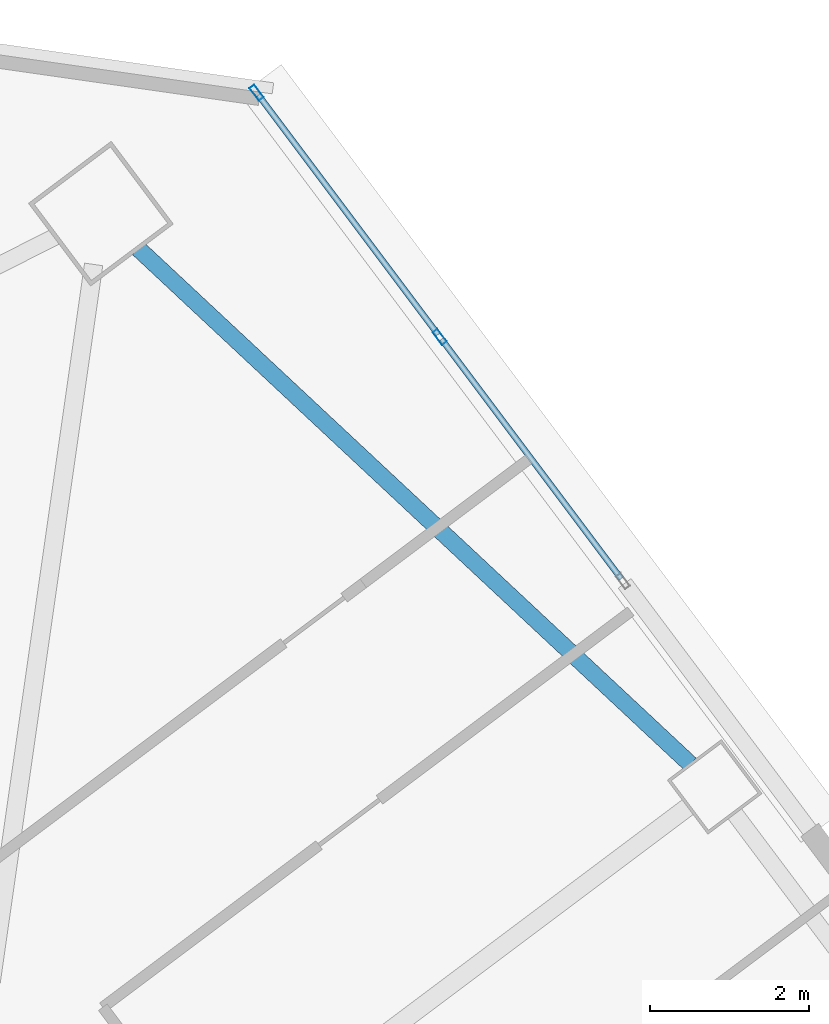
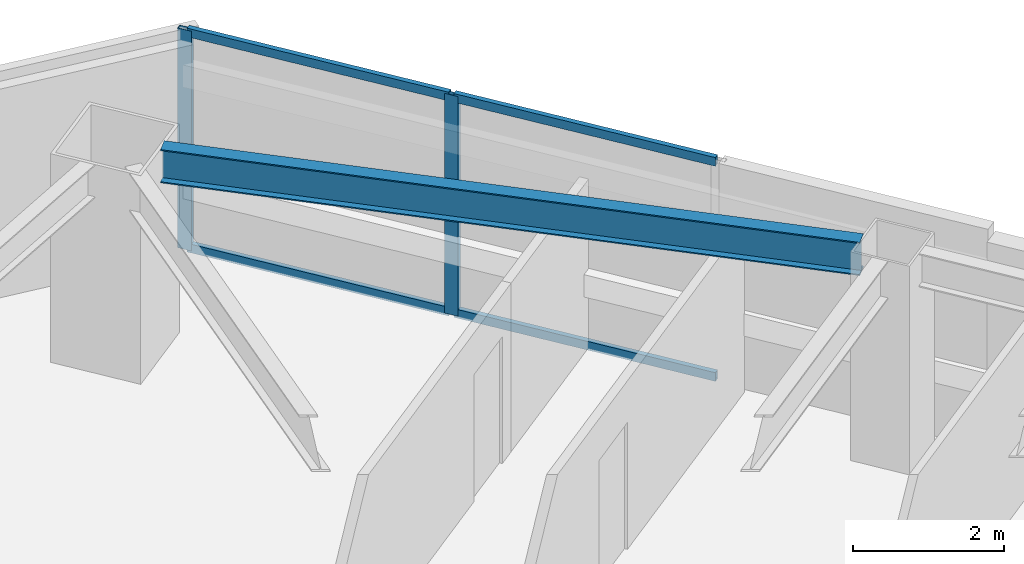
# One storey, part 31 of 44: 6 members, 1 beam, 1 element without a shape of its own.
"""IFC4 building model written with IfcOpenShell, lengths in metres."""

from ifc_helpers import new_model, si_unit, direction, frame, origin, origin_2d, place, context, subcontext, project, spatial, hollow_rectangle, i_section, extrude, material, material_profile, profile_set, type_object, element, aggregate, save


model = new_model("IFC4")

# Units and contexts
model_context = context("Model", 3, precision=1e-05, world=origin(), true_north=direction((0.0, 1.0)))
body_context = subcontext(model_context, "Body", "Model", "MODEL_VIEW")
ifc_project = project(units=[si_unit("LENGTHUNIT", "METRE"), si_unit("AREAUNIT", "SQUARE_METRE"), si_unit("VOLUMEUNIT", "CUBIC_METRE"), si_unit("PLANEANGLEUNIT", "RADIAN"), si_unit("MASSUNIT", "GRAM", prefix="KILO")], contexts=[model_context])

# Site, building, storey
site_placement = place(None, origin())
site = spatial("IfcSite", under=ifc_project, at=site_placement, CompositionType="ELEMENT")
building_placement = place(site_placement, origin())
building = spatial("IfcBuilding", under=site, at=building_placement, Name="Tashvorn Skyway Center", CompositionType="ELEMENT")
storey_placement = place(building_placement, frame((0.0, 0.0, 128.60009765625)))
storey = spatial("IfcBuildingStorey", under=building, at=storey_placement, Name="L34", CompositionType="ELEMENT", Elevation=128.60009765625)

# Beam
ifc_material_1 = material(Name="Steel ASTM A992 Grade 50", Category="steel")
ifc_material_profile_1 = material_profile(ifc_material_1, i_section(OverallWidth=0.2109375, OverallDepth=0.5390625, WebThickness=0.01171875, FlangeThickness=0.018798828125, at=origin_2d()), Name="W21X73")
ifc_profile_set_1 = profile_set([ifc_material_profile_1], Name="Steel ASTM A992 Grade 50")
beam_type = type_object("IfcBeamType", Name="BM-SPANDREL-W21X73", PredefinedType="SPANDREL", material=ifc_profile_set_1)
beam_placement = place(storey_placement, frame((124.572998046875, 47.19677734375, 3.100341796875), z_axis=(-0.730843250868, 0.682545341102, 0.0), x_axis=(-0.682545341102, -0.730843250868, 0.0)))
element("IfcBeam", 1, at=beam_placement, inside=storey, type_object=beam_type, Name="Tower 2 L34 Spandrel Beam 06", PredefinedType="SPANDREL", context=body_context, shape_type="SweptSolid", body=[
    extrude(i_section(OverallWidth=0.2109375, OverallDepth=0.5390625, WebThickness=0.01171875, FlangeThickness=0.018798828125, at=origin_2d()), origin(), (0.0, 0.0, 1.0), 9.498046875),
])

# Curtain wall, members
ifc_material_2 = material(Name="Thermally broken bronze-anodized aluminium 6063-T6", Category="aluminium")
curtain_wall_type = type_object("IfcCurtainWallType", Name="CW-CW-Z3", PredefinedType="NOTDEFINED", material=ifc_material_2)
curtain_wall_placement = place(storey_placement, origin())
curtain_wall = element("IfcCurtainWall", 2, at=curtain_wall_placement, inside=storey, type_object=curtain_wall_type, Name="Tower 2 L34 East Curtain Wall L Glazing Group 1", PredefinedType="NOTDEFINED")
ifc_material_profile_2 = material_profile(ifc_material_2, hollow_rectangle(XDim=0.074951171875, YDim=0.199951171875, WallThickness=0.00439453125, at=origin_2d()), Name="ALU-MULL-75x200")
ifc_profile_set_2 = profile_set([ifc_material_profile_2], Name="Thermally broken bronze-anodized aluminium 6063-T6")
member_type_1 = type_object("IfcMemberType", Name="CWM-CW-Z3", PredefinedType="MULLION", material=ifc_profile_set_2)
member_1_placement = place(storey_placement, frame((119.118408203125, 55.64208984375, 0.0), z_axis=(0.0, 0.0, 1.0), x_axis=(0.800001547712, 0.599997936379, 0.0)))
member_1 = element("IfcMember", 3, at=member_1_placement, type_object=member_type_1, Name="CW-Z3 mullion 1", PredefinedType="MULLION", context=body_context, shape_type="SweptSolid", body=[
    extrude(hollow_rectangle(XDim=0.074951171875, YDim=0.199951171875, WallThickness=0.00439453125, at=origin_2d()), origin(), (0.0, 0.0, 1.0), 3.5498046875),
])
member_2_placement = place(storey_placement, frame((121.422119140625, 52.570556640625, 0.0), z_axis=(0.0, 0.0, 1.0), x_axis=(0.800001547712, 0.599997936379, 0.0)))
member_2 = element("IfcMember", 4, at=member_2_placement, type_object=member_type_1, Name="CW-Z3 mullion 2", PredefinedType="MULLION", context=body_context, shape_type="SweptSolid", body=[
    extrude(hollow_rectangle(XDim=0.074951171875, YDim=0.199951171875, WallThickness=0.00439453125, at=origin_2d()), origin(), (0.0, 0.0, 1.0), 3.5498046875),
])
ifc_material_profile_3 = material_profile(ifc_material_2, hollow_rectangle(XDim=0.074951171875, YDim=0.139892578125, WallThickness=0.004150390625, at=origin_2d()), Name="ALU-TRAN-75x140")
ifc_profile_set_3 = profile_set([ifc_material_profile_3], Name="Thermally broken bronze-anodized aluminium 6063-T6")
member_type_2 = type_object("IfcMemberType", Name="CWT-CW-Z3", PredefinedType="USERDEFINED", material=ifc_profile_set_3)
member_3_placement = place(storey_placement, frame((119.14111328125, 55.612060546875, 0.037353515625), z_axis=(0.599948111334, -0.80003891387, 0.0), x_axis=(0.80003891387, 0.599948111334, 0.0)))
member_3 = element("IfcMember", 5, at=member_3_placement, type_object=member_type_2, Name="CW-Z3 transom 1.1", ObjectType="TRANSOM", PredefinedType="USERDEFINED", context=body_context, shape_type="SweptSolid", body=[
    extrude(hollow_rectangle(XDim=0.074951171875, YDim=0.139892578125, WallThickness=0.004150390625, at=origin_2d()), origin(), (0.0, 0.0, 1.0), 3.76416015625),
])
member_4_placement = place(storey_placement, frame((119.14111328125, 55.612060546875, 3.512451171875), z_axis=(0.599948111334, -0.80003891387, 0.0), x_axis=(0.80003891387, 0.599948111334, 0.0)))
member_4 = element("IfcMember", 6, at=member_4_placement, type_object=member_type_2, Name="CW-Z3 transom 1.2", ObjectType="TRANSOM", PredefinedType="USERDEFINED", context=body_context, shape_type="SweptSolid", body=[
    extrude(hollow_rectangle(XDim=0.074951171875, YDim=0.139892578125, WallThickness=0.004150390625, at=origin_2d()), origin(), (0.0, 0.0, 1.0), 3.76416015625),
])
member_5_placement = place(storey_placement, frame((121.444580078125, 52.540771484375, 0.037353515625), z_axis=(0.599948111334, -0.80003891387, 0.0), x_axis=(0.80003891387, 0.599948111334, 0.0)))
member_5 = element("IfcMember", 7, at=member_5_placement, type_object=member_type_2, Name="CW-Z3 transom 2.1", ObjectType="TRANSOM", PredefinedType="USERDEFINED", context=body_context, shape_type="SweptSolid", body=[
    extrude(hollow_rectangle(XDim=0.074951171875, YDim=0.139892578125, WallThickness=0.004150390625, at=origin_2d()), origin(), (0.0, 0.0, 1.0), 3.76416015625),
])
member_6_placement = place(storey_placement, frame((121.444580078125, 52.540771484375, 3.512451171875), z_axis=(0.599948111334, -0.80003891387, 0.0), x_axis=(0.80003891387, 0.599948111334, 0.0)))
member_6 = element("IfcMember", 8, at=member_6_placement, type_object=member_type_2, Name="CW-Z3 transom 2.2", ObjectType="TRANSOM", PredefinedType="USERDEFINED", context=body_context, shape_type="SweptSolid", body=[
    extrude(hollow_rectangle(XDim=0.074951171875, YDim=0.139892578125, WallThickness=0.004150390625, at=origin_2d()), origin(), (0.0, 0.0, 1.0), 3.76416015625),
])
aggregate(curtain_wall, [member_1, member_2, member_3, member_4, member_5, member_6])

save(model, "model.ifc")
